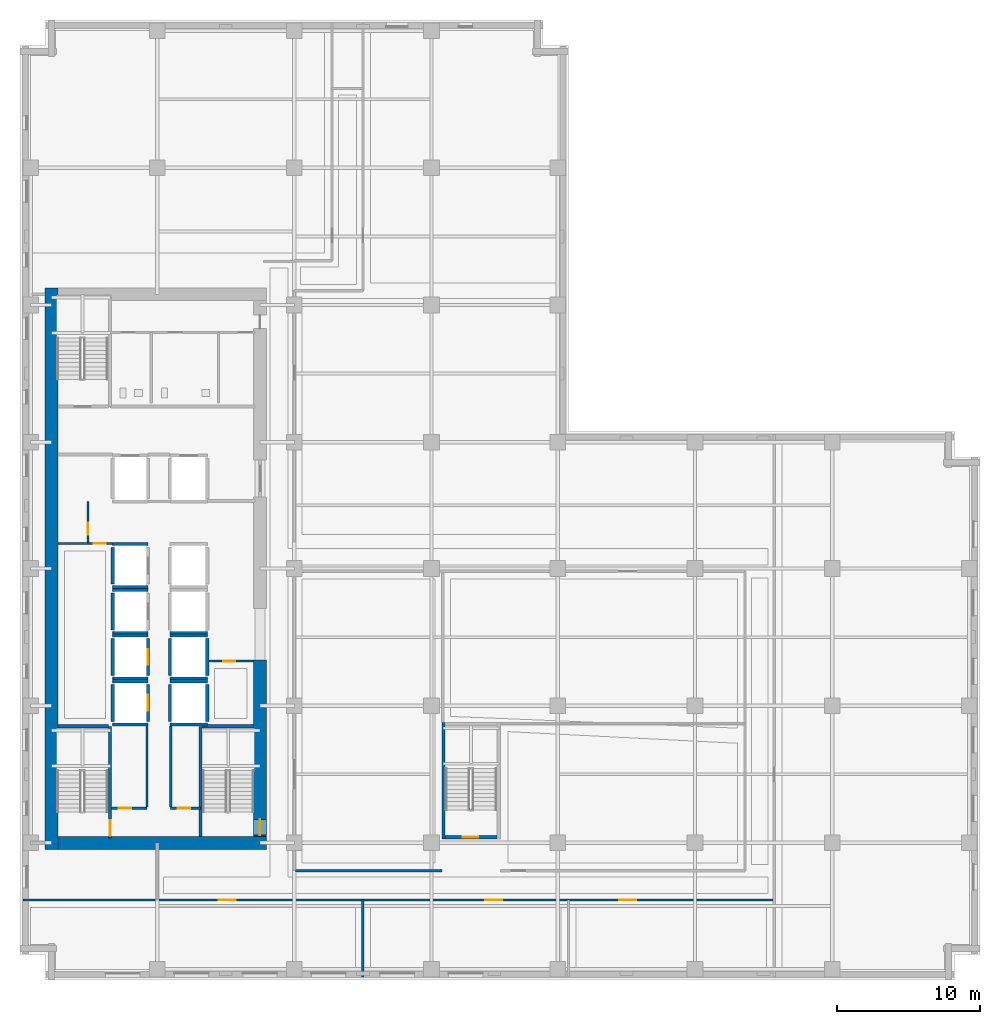
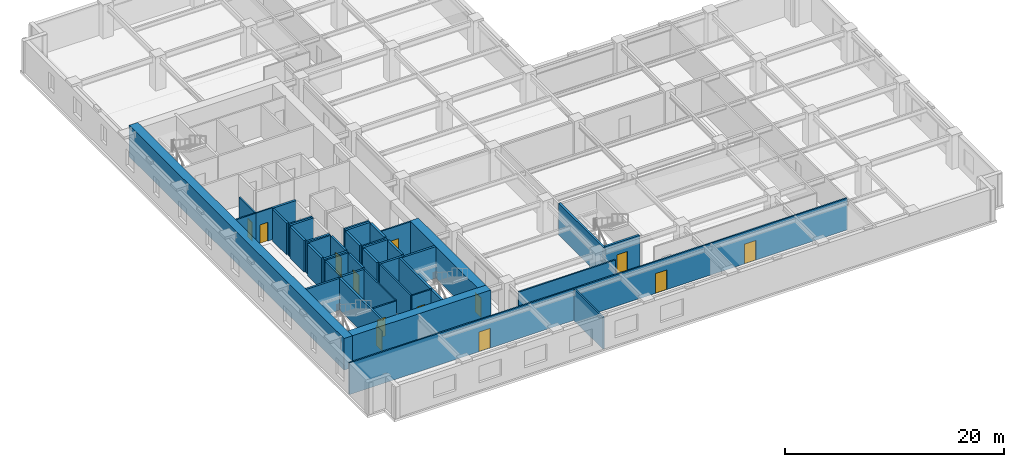
# One storey, part 4 of 13: 43 walls, 13 doors, 13 openings.
"""IFC4 building model written with IfcOpenShell, lengths in metres."""

from ifc_helpers import new_model, si_unit, direction, frame, frame_2d, origin, place, context, subcontext, project, spatial, rectangle, extrude, material, layer, layer_set, type_object, element, fill, save


model = new_model("IFC4")

# Units and contexts
model_context = context("Model", 3, precision=1e-05, world=origin(), true_north=direction((0.0, 1.0)))
body_context = subcontext(model_context, "Body", "Model", "MODEL_VIEW")
ifc_project = project(units=[si_unit("LENGTHUNIT", "METRE"), si_unit("AREAUNIT", "SQUARE_METRE"), si_unit("VOLUMEUNIT", "CUBIC_METRE"), si_unit("PLANEANGLEUNIT", "RADIAN"), si_unit("MASSUNIT", "GRAM", prefix="KILO")], contexts=[model_context])

# Site, building, storey
site_placement = place(None, origin())
site = spatial("IfcSite", under=ifc_project, at=site_placement, CompositionType="ELEMENT")
building_placement = place(site_placement, origin())
building = spatial("IfcBuilding", under=site, at=building_placement, Name="Norrvale University Quadrangle", CompositionType="ELEMENT")
storey_placement = place(building_placement, frame((0.0, 0.0, 69.800048828125)))
storey = spatial("IfcBuildingStorey", under=building, at=storey_placement, Name="L17", CompositionType="ELEMENT", Elevation=69.800048828125)

# Walls
ifc_material_1 = material(Name="Concrete C80/95", Category="concrete")
ifc_layer_1 = layer(ifc_material_1, 0.89990234375, Name="Concrete C80/95")
ifc_layer_set_1 = layer_set([ifc_layer_1], Name="Concrete C80/95")
wall_type_1 = type_object("IfcWallType", Name="Wall Core 900", PredefinedType="SHEAR", material=ifc_layer_set_1)
wall_1_placement = place(storey_placement, frame((2.64990234375, 9.60009765625, 0.0), z_axis=(0.0, 0.0, 1.0), x_axis=(1.0, 0.0, 0.0)))
element("IfcWall", 1, at=wall_1_placement, inside=storey, type_object=wall_type_1, Name="Tower Core Shear Wall L17-S", PredefinedType="SHEAR", context=body_context, shape_type="SweptSolid", body=[
    extrude(rectangle(XDim=14.60009765625, YDim=0.89990234375, at=frame_2d((7.300048828125, 0.0))), origin(), (0.0, 0.0, 1.0), 3.5400390625),
])
wall_2_placement = place(storey_placement, frame((2.199951171875, 9.14990234375, 0.0), z_axis=(0.0, 0.0, 1.0), x_axis=(0.0, 1.0, 0.0)))
element("IfcWall", 2, at=wall_2_placement, inside=storey, type_object=wall_type_1, Name="Tower Core Shear Wall L17-W", PredefinedType="SHEAR", context=body_context, shape_type="SweptSolid", body=[
    extrude(rectangle(XDim=39.300048828125, YDim=0.89990234375, at=frame_2d((19.64990234375, 0.0))), origin(), (0.0, 0.0, 1.0), 3.5400390625),
])

# Wall, opening, door
wall_3_placement = place(storey_placement, frame((16.800048828125, 10.050048828125, 0.0), z_axis=(0.0, 0.0, 1.0), x_axis=(0.0, 1.0, 0.0)))
wall_3 = element("IfcWall", 3, at=wall_3_placement, inside=storey, type_object=wall_type_1, Name="Tower Core Shear Wall L17-E1", PredefinedType="SHEAR", context=body_context, shape_type="SweptSolid", body=[
    extrude(rectangle(XDim=12.349853515625, YDim=0.89990234375, at=frame_2d((6.1748046875, 0.0))), origin(), (0.0, 0.0, 1.0), 3.5400390625),
])
opening_1_placement = place(wall_3_placement, frame((0.090087890625, 0.0, 0.0)))
opening_1 = element("IfcOpeningElement", 4, at=opening_1_placement, cuts=wall_3, Name="Opening D02", PredefinedType="OPENING", context=body_context, shape_type="SweptSolid", body=[
    extrude(rectangle(XDim=1.10009765625, YDim=2.199951171875, at=frame_2d((0.550048828125, 1.10009765625))), frame((0.0, 0.4619140625, 0.0), z_axis=(0.0, -1.0, 0.0), x_axis=(1.0, 0.0, 0.0)), (0.0, 0.0, 1.0), 0.923828125),
])
ifc_material_2 = material(Name="Hollow Steel 350W Fire Door", Category="steel")
door_type_1 = type_object("IfcDoorType", Name="Door Stair Exit 1100x2200", OperationType="NOTDEFINED", PredefinedType="DOOR", material=ifc_material_2)
door_1_placement = place(opening_1_placement, origin())
door_1 = element("IfcDoor", 5, at=door_1_placement, inside=storey, type_object=door_type_1, Name="Door Stair Exit 1100x2200 DR-L17-ST03", OperationType="SINGLE_SWING_LEFT", OverallHeight=2.199951171875, OverallWidth=1.10009765625, PredefinedType="DOOR", context=body_context, shape_type="SweptSolid", body=[
    extrude(rectangle(XDim=1.10009765625, YDim=2.199951171875, at=frame_2d((0.550048828125, 1.10009765625))), frame((0.0, 0.02490234375, 0.0), z_axis=(0.0, -1.0, 0.0), x_axis=(1.0, 0.0, 0.0)), (0.0, 0.0, 1.0), 0.050048828125),
])
fill(opening_1, door_1)

ifc_material_3 = material(Name="Fire-Rated Gypsum Stud Partition")
ifc_layer_2 = layer(ifc_material_3, 0.14990234375, Name="Fire-Rated Gypsum Stud Partition")
ifc_layer_set_2 = layer_set([ifc_layer_2], Name="Fire-Rated Gypsum Stud Partition")
wall_type_2 = type_object("IfcWallType", Name="Wall Gypsum Corridor 150", PredefinedType="PARTITIONING", material=ifc_layer_set_2)
wall_4_placement = place(storey_placement, frame((6.419921875, 12.02001953125, 0.0), z_axis=(0.0, 0.0, 1.0), x_axis=(1.0, 0.0, 0.0)))
wall_4 = element("IfcWall", 6, at=wall_4_placement, inside=storey, type_object=wall_type_2, Name="Interior Partition WL-L17-SC-NL", PredefinedType="PARTITIONING", context=body_context, shape_type="SweptSolid", body=[
    extrude(rectangle(XDim=2.47998046875, YDim=0.14990234375, at=frame_2d((1.239990234375, 0.0))), origin(), (0.0, 0.0, 1.0), 3.5400390625),
])
opening_2_placement = place(wall_4_placement, frame((0.5, 0.0, 0.0)))
opening_2 = element("IfcOpeningElement", 7, at=opening_2_placement, cuts=wall_4, Name="Opening D10", PredefinedType="OPENING", context=body_context, shape_type="SweptSolid", body=[
    extrude(rectangle(XDim=0.85009765625, YDim=2.10009765625, at=frame_2d((0.425048828125, 1.050048828125))), frame((0.0, 0.0869140625, 0.0), z_axis=(0.0, -1.0, 0.0), x_axis=(1.0, 0.0, 0.0)), (0.0, 0.0, 1.0), 0.173828125),
])
ifc_material_4 = material(Name="Hollow Steel 350W Riser Fire Door", Category="steel")
door_type_2 = type_object("IfcDoorType", Name="Door Riser 850x2100", OperationType="NOTDEFINED", PredefinedType="DOOR", material=ifc_material_4)
door_2_placement = place(opening_2_placement, origin())
door_2 = element("IfcDoor", 8, at=door_2_placement, inside=storey, type_object=door_type_2, Name="Door Riser 850x2100 DR-L17-ELEC", OperationType="SINGLE_SWING_LEFT", OverallHeight=2.10009765625, OverallWidth=0.85009765625, PredefinedType="DOOR", context=body_context, shape_type="SweptSolid", body=[
    extrude(rectangle(XDim=0.85009765625, YDim=2.10009765625, at=frame_2d((0.425048828125, 1.050048828125))), frame((0.0, 0.02490234375, 0.0), z_axis=(0.0, -1.0, 0.0), x_axis=(1.0, 0.0, 0.0)), (0.0, 0.0, 1.0), 0.050048828125),
])
fill(opening_2, door_2)

wall_5_placement = place(storey_placement, frame((10.550048828125, 12.02001953125, 0.0), z_axis=(0.0, 0.0, 1.0), x_axis=(1.0, 0.0, 0.0)))
wall_5 = element("IfcWall", 9, at=wall_5_placement, inside=storey, type_object=wall_type_2, Name="Interior Partition WL-L17-SC-NR", PredefinedType="PARTITIONING", context=body_context, shape_type="SweptSolid", body=[
    extrude(rectangle(XDim=2.079833984375, YDim=0.14990234375, at=frame_2d((1.0400390625, 0.0))), origin(), (0.0, 0.0, 1.0), 3.5400390625),
])
opening_3_placement = place(wall_5_placement, frame((0.5, 0.0, 0.0)))
opening_3 = element("IfcOpeningElement", 10, at=opening_3_placement, cuts=wall_5, Name="Opening D10", PredefinedType="OPENING", context=body_context, shape_type="SweptSolid", body=[
    extrude(rectangle(XDim=0.85009765625, YDim=2.10009765625, at=frame_2d((0.425048828125, 1.050048828125))), frame((0.0, 0.0869140625, 0.0), z_axis=(0.0, -1.0, 0.0), x_axis=(1.0, 0.0, 0.0)), (0.0, 0.0, 1.0), 0.173828125),
])
door_3_placement = place(opening_3_placement, origin())
door_3 = element("IfcDoor", 11, at=door_3_placement, inside=storey, type_object=door_type_2, Name="Door Riser 850x2100 DR-L17-IDF", OperationType="SINGLE_SWING_RIGHT", OverallHeight=2.10009765625, OverallWidth=0.85009765625, PredefinedType="DOOR", context=body_context, shape_type="SweptSolid", body=[
    extrude(rectangle(XDim=0.85009765625, YDim=2.10009765625, at=frame_2d((0.425048828125, 1.050048828125))), frame((0.0, 0.02490234375, 0.0), z_axis=(0.0, -1.0, 0.0), x_axis=(1.0, 0.0, 0.0)), (0.0, 0.0, 1.0), 0.050048828125),
])
fill(opening_3, door_3)

# Walls
for number, where, z_axis, x_axis, name in (
    (12, (8.89990234375, 12.094970703125, 0.0), (0.0, 0.0, 1.0), (0.0, 1.0, 0.0), "Interior Partition WL-L17-SC-WL"),
    (13, (10.550048828125, 12.094970703125, 0.0), (0.0, 0.0, 1.0), (0.0, 1.0, 0.0), "Interior Partition WL-L17-SC-WR"),
):
    element("IfcWall", number, at=place(storey_placement, frame(where, z_axis=z_axis, x_axis=x_axis)), inside=storey, type_object=wall_type_2, Name=name, PredefinedType="PARTITIONING", context=body_context, shape_type="SweptSolid", body=[
        extrude(rectangle(XDim=5.679931640625, YDim=0.14990234375, at=frame_2d((2.83984375, 0.0))), origin(), (0.0, 0.0, 1.0), 3.5400390625),
    ])

# Wall, opening, door
wall_6_placement = place(storey_placement, frame((13.22509765625, 22.320068359375, 0.0), z_axis=(0.0, 0.0, 1.0), x_axis=(1.0, 0.0, 0.0)))
wall_6 = element("IfcWall", 14, at=wall_6_placement, inside=storey, type_object=wall_type_2, Name="Interior Partition WL-L17-JAN-N", PredefinedType="PARTITIONING", context=body_context, shape_type="SweptSolid", body=[
    extrude(rectangle(XDim=3.119873046875, YDim=0.14990234375, at=frame_2d((1.56005859375, 0.0))), origin(), (0.0, 0.0, 1.0), 3.5400390625),
])
opening_4_placement = place(wall_6_placement, frame((1.0, 0.0, 0.0)))
opening_4 = element("IfcOpeningElement", 15, at=opening_4_placement, cuts=wall_6, Name="Opening D10", PredefinedType="OPENING", context=body_context, shape_type="SweptSolid", body=[
    extrude(rectangle(XDim=0.85009765625, YDim=2.10009765625, at=frame_2d((0.425048828125, 1.050048828125))), frame((0.0, 0.0869140625, 0.0), z_axis=(0.0, -1.0, 0.0), x_axis=(1.0, 0.0, 0.0)), (0.0, 0.0, 1.0), 0.173828125),
])
door_4_placement = place(opening_4_placement, origin())
door_4 = element("IfcDoor", 16, at=door_4_placement, inside=storey, type_object=door_type_2, Name="Door Riser 850x2100 DR-L17-JAN", OperationType="SINGLE_SWING_LEFT", OverallHeight=2.10009765625, OverallWidth=0.85009765625, PredefinedType="DOOR", context=body_context, shape_type="SweptSolid", body=[
    extrude(rectangle(XDim=0.85009765625, YDim=2.10009765625, at=frame_2d((0.425048828125, 1.050048828125))), frame((0.0, 0.02490234375, 0.0), z_axis=(0.0, -1.0, 0.0), x_axis=(1.0, 0.0, 0.0)), (0.0, 0.0, 1.0), 0.050048828125),
])
fill(opening_4, door_4)

wall_7_placement = place(storey_placement, frame((4.760009765625, 30.550048828125, 0.0), z_axis=(0.0, 0.0, 1.0), x_axis=(0.0, 1.0, 0.0)))
wall_7 = element("IfcWall", 17, at=wall_7_placement, inside=storey, type_object=wall_type_2, Name="Interior Partition WL-L17-WME-E", PredefinedType="PARTITIONING", context=body_context, shape_type="SweptSolid", body=[
    extrude(rectangle(XDim=2.929931640625, YDim=0.14990234375, at=frame_2d((1.46484375, 0.0))), origin(), (0.0, 0.0, 1.0), 3.5400390625),
])
opening_5_placement = place(wall_7_placement, frame((0.60009765625, 0.0, 0.0)))
opening_5 = element("IfcOpeningElement", 18, at=opening_5_placement, cuts=wall_7, Name="Opening D10", PredefinedType="OPENING", context=body_context, shape_type="SweptSolid", body=[
    extrude(rectangle(XDim=0.85009765625, YDim=2.10009765625, at=frame_2d((0.425048828125, 1.050048828125))), frame((0.0, 0.0869140625, 0.0), z_axis=(0.0, -1.0, 0.0), x_axis=(1.0, 0.0, 0.0)), (0.0, 0.0, 1.0), 0.173828125),
])
door_5_placement = place(opening_5_placement, origin())
door_5 = element("IfcDoor", 19, at=door_5_placement, inside=storey, type_object=door_type_2, Name="Door Riser 850x2100 DR-L17-WME", OperationType="SINGLE_SWING_LEFT", OverallHeight=2.10009765625, OverallWidth=0.85009765625, PredefinedType="DOOR", context=body_context, shape_type="SweptSolid", body=[
    extrude(rectangle(XDim=0.85009765625, YDim=2.10009765625, at=frame_2d((0.425048828125, 1.050048828125))), frame((0.0, 0.02490234375, 0.0), z_axis=(0.0, -1.0, 0.0), x_axis=(1.0, 0.0, 0.0)), (0.0, 0.0, 1.0), 0.050048828125),
])
fill(opening_5, door_5)

wall_8_placement = place(storey_placement, frame((4.760009765625, 30.550048828125, 0.0), z_axis=(0.0, 0.0, 1.0), x_axis=(1.0, 0.0, 0.0)))
wall_8 = element("IfcWall", 20, at=wall_8_placement, inside=storey, type_object=wall_type_2, Name="Interior Partition WL-L17-WST-N", PredefinedType="PARTITIONING", context=body_context, shape_type="SweptSolid", body=[
    extrude(rectangle(XDim=1.760009765625, YDim=0.14990234375, at=frame_2d((0.8798828125, 0.0))), origin(), (0.0, 0.0, 1.0), 3.5400390625),
])
opening_6_placement = place(wall_8_placement, frame((0.39990234375, 0.0, 0.0)))
opening_6 = element("IfcOpeningElement", 21, at=opening_6_placement, cuts=wall_8, Name="Opening D10", PredefinedType="OPENING", context=body_context, shape_type="SweptSolid", body=[
    extrude(rectangle(XDim=0.85009765625, YDim=2.10009765625, at=frame_2d((0.425048828125, 1.050048828125))), frame((0.0, 0.0869140625, 0.0), z_axis=(0.0, -1.0, 0.0), x_axis=(1.0, 0.0, 0.0)), (0.0, 0.0, 1.0), 0.173828125),
])
door_6_placement = place(opening_6_placement, origin())
door_6 = element("IfcDoor", 22, at=door_6_placement, inside=storey, type_object=door_type_2, Name="Door Riser 850x2100 DR-L17-WST", OperationType="SINGLE_SWING_RIGHT", OverallHeight=2.10009765625, OverallWidth=0.85009765625, PredefinedType="DOOR", context=body_context, shape_type="SweptSolid", body=[
    extrude(rectangle(XDim=0.85009765625, YDim=2.10009765625, at=frame_2d((0.425048828125, 1.050048828125))), frame((0.0, 0.02490234375, 0.0), z_axis=(0.0, -1.0, 0.0), x_axis=(1.0, 0.0, 0.0)), (0.0, 0.0, 1.0), 0.050048828125),
])
fill(opening_6, door_6)

# Wall
wall_9_placement = place(storey_placement, frame((2.64990234375, 30.550048828125, 0.0), z_axis=(0.0, 0.0, 1.0), x_axis=(1.0, 0.0, 0.0)))
element("IfcWall", 23, at=wall_9_placement, inside=storey, type_object=wall_type_2, Name="Interior Partition WL-L17-WST-N2", PredefinedType="PARTITIONING", context=body_context, shape_type="SweptSolid", body=[
    extrude(rectangle(XDim=2.110107421875, YDim=0.14990234375, at=frame_2d((1.05517578125, 0.0))), origin(), (0.0, 0.0, 1.0), 3.5400390625),
])

# Wall, openings, doors
wall_10_placement = place(storey_placement, frame((0.219970703125, 5.60009765625, 0.0), z_axis=(0.0, 0.0, 1.0), x_axis=(1.0, 0.0, 0.0)))
wall_10 = element("IfcWall", 24, at=wall_10_placement, inside=storey, type_object=wall_type_2, Name="Interior Partition WL-L17-SCW", PredefinedType="PARTITIONING", context=body_context, shape_type="SweptSolid", body=[
    extrude(rectangle(XDim=52.580078125, YDim=0.14990234375, at=frame_2d((26.2900390625, 0.0))), origin(), (0.0, 0.0, 1.0), 3.5400390625),
])
opening_7_placement = place(wall_10_placement, frame((13.679931640625, 0.0, 0.0)))
opening_7 = element("IfcOpeningElement", 25, at=opening_7_placement, cuts=wall_10, Name="Opening D05", PredefinedType="OPENING", context=body_context, shape_type="SweptSolid", body=[
    extrude(rectangle(XDim=1.199951171875, YDim=2.199951171875, at=frame_2d((0.60009765625, 1.10009765625))), frame((0.0, 0.0869140625, 0.0), z_axis=(0.0, -1.0, 0.0), x_axis=(1.0, 0.0, 0.0)), (0.0, 0.0, 1.0), 0.173828125),
])
opening_8_placement = place(wall_10_placement, frame((32.330078125, 0.0, 0.0)))
opening_8 = element("IfcOpeningElement", 26, at=opening_8_placement, cuts=wall_10, Name="Opening D05", PredefinedType="OPENING", context=body_context, shape_type="SweptSolid", body=[
    extrude(rectangle(XDim=1.199951171875, YDim=2.199951171875, at=frame_2d((0.60009765625, 1.10009765625))), frame((0.0, 0.0869140625, 0.0), z_axis=(0.0, -1.0, 0.0), x_axis=(1.0, 0.0, 0.0)), (0.0, 0.0, 1.0), 0.173828125),
])
opening_9_placement = place(wall_10_placement, frame((41.72998046875, 0.0, 0.0)))
opening_9 = element("IfcOpeningElement", 27, at=opening_9_placement, cuts=wall_10, Name="Opening D05", PredefinedType="OPENING", context=body_context, shape_type="SweptSolid", body=[
    extrude(rectangle(XDim=1.199951171875, YDim=2.199951171875, at=frame_2d((0.60009765625, 1.10009765625))), frame((0.0, 0.0869140625, 0.0), z_axis=(0.0, -1.0, 0.0), x_axis=(1.0, 0.0, 0.0)), (0.0, 0.0, 1.0), 0.173828125),
])
ifc_material_5 = material(Name="Acoustic Oak Classroom Door", Category="wood")
door_type_3 = type_object("IfcDoorType", Name="Door Classroom 1200x2200", OperationType="NOTDEFINED", PredefinedType="DOOR", material=ifc_material_5)
door_7_placement = place(opening_7_placement, origin())
door_7 = element("IfcDoor", 28, at=door_7_placement, inside=storey, type_object=door_type_3, Name="Door Classroom 1200x2200 DR-L17-S01", OperationType="SINGLE_SWING_LEFT", OverallHeight=2.199951171875, OverallWidth=1.199951171875, PredefinedType="DOOR", context=body_context, shape_type="SweptSolid", body=[
    extrude(rectangle(XDim=1.199951171875, YDim=2.199951171875, at=frame_2d((0.60009765625, 1.10009765625))), frame((0.0, 0.02490234375, 0.0), z_axis=(0.0, -1.0, 0.0), x_axis=(1.0, 0.0, 0.0)), (0.0, 0.0, 1.0), 0.050048828125),
])
fill(opening_7, door_7)
door_8_placement = place(opening_8_placement, origin())
door_8 = element("IfcDoor", 29, at=door_8_placement, inside=storey, type_object=door_type_3, Name="Door Classroom 1200x2200 DR-L17-S02", OperationType="SINGLE_SWING_RIGHT", OverallHeight=2.199951171875, OverallWidth=1.199951171875, PredefinedType="DOOR", context=body_context, shape_type="SweptSolid", body=[
    extrude(rectangle(XDim=1.199951171875, YDim=2.199951171875, at=frame_2d((0.60009765625, 1.10009765625))), frame((0.0, 0.02490234375, 0.0), z_axis=(0.0, -1.0, 0.0), x_axis=(1.0, 0.0, 0.0)), (0.0, 0.0, 1.0), 0.050048828125),
])
fill(opening_8, door_8)
door_9_placement = place(opening_9_placement, origin())
door_9 = element("IfcDoor", 30, at=door_9_placement, inside=storey, type_object=door_type_3, Name="Door Classroom 1200x2200 DR-L17-S03", OperationType="SINGLE_SWING_LEFT", OverallHeight=2.199951171875, OverallWidth=1.199951171875, PredefinedType="DOOR", context=body_context, shape_type="SweptSolid", body=[
    extrude(rectangle(XDim=1.199951171875, YDim=2.199951171875, at=frame_2d((0.60009765625, 1.10009765625))), frame((0.0, 0.02490234375, 0.0), z_axis=(0.0, -1.0, 0.0), x_axis=(1.0, 0.0, 0.0)), (0.0, 0.0, 1.0), 0.050048828125),
])
fill(opening_9, door_9)

# Walls
wall_11_placement = place(storey_placement, frame((19.280029296875, 7.64990234375, 0.0), z_axis=(0.0, 0.0, 1.0), x_axis=(1.0, 0.0, 0.0)))
element("IfcWall", 31, at=wall_11_placement, inside=storey, type_object=wall_type_2, Name="Interior Partition WL-L17-ISLS1", PredefinedType="PARTITIONING", context=body_context, shape_type="SweptSolid", body=[
    extrude(rectangle(XDim=10.244873046875, YDim=0.14990234375, at=frame_2d((5.12255859375, 0.0))), origin(), (0.0, 0.0, 1.0), 3.5400390625),
])
ifc_material_6 = material(Name="Sanitary Chase Gypsum Partition")
ifc_layer_3 = layer(ifc_material_6, 0.1650390625, Name="Sanitary Chase Gypsum Partition")
ifc_layer_set_3 = layer_set([ifc_layer_3], Name="Sanitary Chase Gypsum Partition")
wall_type_3 = type_object("IfcWallType", Name="Wall Gypsum Sanitary 165", PredefinedType="PLUMBINGWALL", material=ifc_layer_set_3)
wall_12_placement = place(storey_placement, frame((24.0, 0.219970703125, 0.0), z_axis=(0.0, 0.0, 1.0), x_axis=(0.0, 1.0, 0.0)))
element("IfcWall", 32, at=wall_12_placement, inside=storey, type_object=wall_type_3, Name="Interior Partition WL-L17-SP01", PredefinedType="PLUMBINGWALL", context=body_context, shape_type="SweptSolid", body=[
    extrude(rectangle(XDim=5.380126953125, YDim=0.1650390625, at=frame_2d((2.68994140625, 0.0))), origin(), (0.0, 0.0, 1.0), 3.5400390625),
])

# Wall, opening, door
ifc_material_7 = material(Name="Concrete Blockwork 20 MPa Fire Shaft", Category="masonry")
ifc_layer_4 = layer(ifc_material_7, 0.219970703125, Name="Concrete Blockwork 20 MPa Fire Shaft")
ifc_layer_set_4 = layer_set([ifc_layer_4], Name="Concrete Blockwork 20 MPa Fire Shaft")
wall_type_4 = type_object("IfcWallType", Name="Wall Shaft 220", PredefinedType="SOLIDWALL", material=ifc_layer_set_4)
wall_13_placement = place(storey_placement, frame((6.31005859375, 9.949951171875, 0.0), z_axis=(0.0, 0.0, 1.0), x_axis=(0.0, 1.0, 0.0)))
wall_13 = element("IfcWall", 33, at=wall_13_placement, inside=storey, type_object=wall_type_4, Name="Stair ST-01 East Shaft Wall L17", PredefinedType="SOLIDWALL", context=body_context, shape_type="SweptSolid", body=[
    extrude(rectangle(XDim=7.81005859375, YDim=0.219970703125, at=frame_2d((3.905029296875, 0.0))), origin(), (0.0, 0.0, 1.0), 3.5400390625),
])
opening_10_placement = place(wall_13_placement, frame((0.139892578125, 0.0, 0.0)))
opening_10 = element("IfcOpeningElement", 34, at=opening_10_placement, cuts=wall_13, Name="Opening D02", PredefinedType="OPENING", context=body_context, shape_type="SweptSolid", body=[
    extrude(rectangle(XDim=1.10009765625, YDim=2.199951171875, at=frame_2d((0.550048828125, 1.10009765625))), frame((0.0, 0.1220703125, 0.0), z_axis=(0.0, -1.0, 0.0), x_axis=(1.0, 0.0, 0.0)), (0.0, 0.0, 1.0), 0.243896484375),
])
door_10_placement = place(opening_10_placement, origin())
door_10 = element("IfcDoor", 35, at=door_10_placement, inside=storey, type_object=door_type_1, Name="Door Stair Exit 1100x2200 DR-L17-ST01", OperationType="SINGLE_SWING_LEFT", OverallHeight=2.199951171875, OverallWidth=1.10009765625, PredefinedType="DOOR", context=body_context, shape_type="SweptSolid", body=[
    extrude(rectangle(XDim=1.10009765625, YDim=2.199951171875, at=frame_2d((0.550048828125, 1.10009765625))), frame((0.0, 0.02490234375, 0.0), z_axis=(0.0, -1.0, 0.0), x_axis=(1.0, 0.0, 0.0)), (0.0, 0.0, 1.0), 0.050048828125),
])
fill(opening_10, door_10)

# Walls
wall_14_placement = place(storey_placement, frame((2.64990234375, 17.760009765625, 0.0), z_axis=(0.0, 0.0, 1.0), x_axis=(1.0, 0.0, 0.0)))
element("IfcWall", 36, at=wall_14_placement, inside=storey, type_object=wall_type_4, Name="Stair ST-01 North Shaft Wall L17", PredefinedType="SOLIDWALL", context=body_context, shape_type="SweptSolid", body=[
    extrude(rectangle(XDim=3.550048828125, YDim=0.219970703125, at=frame_2d((1.77490234375, 0.0))), origin(), (0.0, 0.0, 1.0), 3.5400390625),
])
wall_15_placement = place(storey_placement, frame((12.639892578125, 10.050048828125, 0.0), z_axis=(0.0, 0.0, 1.0), x_axis=(0.0, 1.0, 0.0)))
element("IfcWall", 37, at=wall_15_placement, inside=storey, type_object=wall_type_4, Name="Stair ST-03 West Shaft Wall L17", PredefinedType="SOLIDWALL", context=body_context, shape_type="SweptSolid", body=[
    extrude(rectangle(XDim=7.7099609375, YDim=0.219970703125, at=frame_2d((3.85498046875, 0.0))), origin(), (0.0, 0.0, 1.0), 3.5400390625),
])
wall_16_placement = place(storey_placement, frame((12.75, 17.760009765625, 0.0), z_axis=(0.0, 0.0, 1.0), x_axis=(1.0, 0.0, 0.0)))
element("IfcWall", 38, at=wall_16_placement, inside=storey, type_object=wall_type_4, Name="Stair ST-03 North Shaft Wall L17", PredefinedType="SOLIDWALL", context=body_context, shape_type="SweptSolid", body=[
    extrude(rectangle(XDim=3.60009765625, YDim=0.219970703125, at=frame_2d((1.800048828125, 0.0))), origin(), (0.0, 0.0, 1.0), 3.5400390625),
])

# Wall, opening, door
wall_17_placement = place(storey_placement, frame((29.75, 9.989990234375, 0.0), z_axis=(0.0, 0.0, 1.0), x_axis=(1.0, 0.0, 0.0)))
wall_17 = element("IfcWall", 39, at=wall_17_placement, inside=storey, type_object=wall_type_4, Name="Stair ST-04 South Shaft Wall L17", PredefinedType="SOLIDWALL", context=body_context, shape_type="SweptSolid", body=[
    extrude(rectangle(XDim=3.64990234375, YDim=0.219970703125, at=frame_2d((1.824951171875, 0.0))), origin(), (0.0, 0.0, 1.0), 3.5400390625),
])
opening_11_placement = place(wall_17_placement, frame((1.239990234375, 0.0, 0.0)))
opening_11 = element("IfcOpeningElement", 40, at=opening_11_placement, cuts=wall_17, Name="Opening D02", PredefinedType="OPENING", context=body_context, shape_type="SweptSolid", body=[
    extrude(rectangle(XDim=1.10009765625, YDim=2.199951171875, at=frame_2d((0.550048828125, 1.10009765625))), frame((0.0, 0.1220703125, 0.0), z_axis=(0.0, -1.0, 0.0), x_axis=(1.0, 0.0, 0.0)), (0.0, 0.0, 1.0), 0.243896484375),
])
door_11_placement = place(opening_11_placement, origin())
door_11 = element("IfcDoor", 41, at=door_11_placement, inside=storey, type_object=door_type_1, Name="Door Stair Exit 1100x2200 DR-L17-ST04", OperationType="SINGLE_SWING_LEFT", OverallHeight=2.199951171875, OverallWidth=1.10009765625, PredefinedType="DOOR", context=body_context, shape_type="SweptSolid", body=[
    extrude(rectangle(XDim=1.10009765625, YDim=2.199951171875, at=frame_2d((0.550048828125, 1.10009765625))), frame((0.0, 0.02490234375, 0.0), z_axis=(0.0, -1.0, 0.0), x_axis=(1.0, 0.0, 0.0)), (0.0, 0.0, 1.0), 0.050048828125),
])
fill(opening_11, door_11)

# Walls
wall_18_placement = place(storey_placement, frame((29.639892578125, 9.8798828125, 0.0), z_axis=(0.0, 0.0, 1.0), x_axis=(0.0, 1.0, 0.0)))
element("IfcWall", 42, at=wall_18_placement, inside=storey, type_object=wall_type_4, Name="Stair ST-04 West Shaft Wall L17", PredefinedType="SOLIDWALL", context=body_context, shape_type="SweptSolid", body=[
    extrude(rectangle(XDim=8.14013671875, YDim=0.219970703125, at=frame_2d((4.070068359375, 0.0))), origin(), (0.0, 0.0, 1.0), 3.5400390625),
])
wall_19_placement = place(storey_placement, frame((6.489990234375, 18.110107421875, 0.0), z_axis=(0.0, 0.0, 1.0), x_axis=(0.0, 1.0, 0.0)))
element("IfcWall", 43, at=wall_19_placement, inside=storey, type_object=wall_type_4, Name="Hoistway PL-01 West Wall L17", PredefinedType="SOLIDWALL", context=body_context, shape_type="SweptSolid", body=[
    extrude(rectangle(XDim=2.579833984375, YDim=0.219970703125, at=frame_2d((1.2900390625, 0.0))), origin(), (0.0, 0.0, 1.0), 3.5400390625),
])

# Wall, opening, door
wall_20_placement = place(storey_placement, frame((8.9599609375, 18.110107421875, 0.0), z_axis=(0.0, 0.0, 1.0), x_axis=(0.0, 1.0, 0.0)))
wall_20 = element("IfcWall", 44, at=wall_20_placement, inside=storey, type_object=wall_type_4, Name="Hoistway PL-01 East Wall L17", PredefinedType="SOLIDWALL", context=body_context, shape_type="SweptSolid", body=[
    extrude(rectangle(XDim=2.579833984375, YDim=0.219970703125, at=frame_2d((1.2900390625, 0.0))), origin(), (0.0, 0.0, 1.0), 3.5400390625),
])
opening_12_placement = place(wall_20_placement, frame((0.739990234375, 0.0, 0.0)))
opening_12 = element("IfcOpeningElement", 45, at=opening_12_placement, cuts=wall_20, Name="Opening LD1", PredefinedType="OPENING", context=body_context, shape_type="SweptSolid", body=[
    extrude(rectangle(XDim=1.10009765625, YDim=2.199951171875, at=frame_2d((0.550048828125, 1.10009765625))), frame((0.0, 0.1220703125, 0.0), z_axis=(0.0, -1.0, 0.0), x_axis=(1.0, 0.0, 0.0)), (0.0, 0.0, 1.0), 0.243896484375),
])
ifc_material_8 = material(Name="Stainless Steel 316L Lift Landing Door", Category="steel")
door_type_4 = type_object("IfcDoorType", Name="Door Lift Landing 1100x2200", OperationType="DOUBLE_DOOR_SLIDING", PredefinedType="DOOR", material=ifc_material_8)
door_12_placement = place(opening_12_placement, origin())
door_12 = element("IfcDoor", 46, at=door_12_placement, inside=storey, type_object=door_type_4, Name="Elevator Landing Door DR-L17-PL-01", OperationType="DOUBLE_DOOR_SLIDING", OverallHeight=2.199951171875, OverallWidth=1.10009765625, PredefinedType="DOOR", context=body_context, shape_type="SweptSolid", body=[
    extrude(rectangle(XDim=1.10009765625, YDim=2.199951171875, at=frame_2d((0.550048828125, 1.10009765625))), frame((0.0, 0.02490234375, 0.0), z_axis=(0.0, -1.0, 0.0), x_axis=(1.0, 0.0, 0.0)), (0.0, 0.0, 1.0), 0.050048828125),
])
fill(opening_12, door_12)

# Walls
for number, where, z_axis, x_axis, name in (
    (47, (6.489990234375, 17.889892578125, 0.0), (0.0, 0.0, 1.0), (1.0, 0.0, 0.0), "Hoistway PL-01 South Wall L17"),
    (48, (6.489990234375, 20.909912109375, 0.0), (0.0, 0.0, 1.0), (1.0, 0.0, 0.0), "Hoistway PL-01 North Wall L17"),
):
    element("IfcWall", number, at=place(storey_placement, frame(where, z_axis=z_axis, x_axis=x_axis)), inside=storey, type_object=wall_type_4, Name=name, PredefinedType="SOLIDWALL", context=body_context, shape_type="SweptSolid", body=[
        extrude(rectangle(XDim=2.469970703125, YDim=0.219970703125, at=frame_2d((1.23486328125, 0.0))), origin(), (0.0, 0.0, 1.0), 3.5400390625),
    ])
wall_21_placement = place(storey_placement, frame((6.489990234375, 21.31005859375, 0.0), z_axis=(0.0, 0.0, 1.0), x_axis=(0.0, 1.0, 0.0)))
element("IfcWall", 49, at=wall_21_placement, inside=storey, type_object=wall_type_4, Name="Hoistway PL-02 West Wall L17", PredefinedType="SOLIDWALL", context=body_context, shape_type="SweptSolid", body=[
    extrude(rectangle(XDim=2.579833984375, YDim=0.219970703125, at=frame_2d((1.2900390625, 0.0))), origin(), (0.0, 0.0, 1.0), 3.5400390625),
])

# Wall, opening, door
wall_22_placement = place(storey_placement, frame((8.9599609375, 21.31005859375, 0.0), z_axis=(0.0, 0.0, 1.0), x_axis=(0.0, 1.0, 0.0)))
wall_22 = element("IfcWall", 50, at=wall_22_placement, inside=storey, type_object=wall_type_4, Name="Hoistway PL-02 East Wall L17", PredefinedType="SOLIDWALL", context=body_context, shape_type="SweptSolid", body=[
    extrude(rectangle(XDim=2.579833984375, YDim=0.219970703125, at=frame_2d((1.2900390625, 0.0))), origin(), (0.0, 0.0, 1.0), 3.5400390625),
])
opening_13_placement = place(wall_22_placement, frame((0.739990234375, 0.0, 0.0)))
opening_13 = element("IfcOpeningElement", 51, at=opening_13_placement, cuts=wall_22, Name="Opening LD1", PredefinedType="OPENING", context=body_context, shape_type="SweptSolid", body=[
    extrude(rectangle(XDim=1.10009765625, YDim=2.199951171875, at=frame_2d((0.550048828125, 1.10009765625))), frame((0.0, 0.1220703125, 0.0), z_axis=(0.0, -1.0, 0.0), x_axis=(1.0, 0.0, 0.0)), (0.0, 0.0, 1.0), 0.243896484375),
])
door_13_placement = place(opening_13_placement, origin())
door_13 = element("IfcDoor", 52, at=door_13_placement, inside=storey, type_object=door_type_4, Name="Elevator Landing Door DR-L17-PL-02", OperationType="DOUBLE_DOOR_SLIDING", OverallHeight=2.199951171875, OverallWidth=1.10009765625, PredefinedType="DOOR", context=body_context, shape_type="SweptSolid", body=[
    extrude(rectangle(XDim=1.10009765625, YDim=2.199951171875, at=frame_2d((0.550048828125, 1.10009765625))), frame((0.0, 0.02490234375, 0.0), z_axis=(0.0, -1.0, 0.0), x_axis=(1.0, 0.0, 0.0)), (0.0, 0.0, 1.0), 0.050048828125),
])
fill(opening_13, door_13)

# Walls
for number, where, z_axis, x_axis, name in (
    (53, (6.489990234375, 21.090087890625, 0.0), (0.0, 0.0, 1.0), (1.0, 0.0, 0.0), "Hoistway PL-02 South Wall L17"),
    (54, (6.489990234375, 24.110107421875, 0.0), (0.0, 0.0, 1.0), (1.0, 0.0, 0.0), "Hoistway PL-02 North Wall L17"),
):
    element("IfcWall", number, at=place(storey_placement, frame(where, z_axis=z_axis, x_axis=x_axis)), inside=storey, type_object=wall_type_4, Name=name, PredefinedType="SOLIDWALL", context=body_context, shape_type="SweptSolid", body=[
        extrude(rectangle(XDim=2.469970703125, YDim=0.219970703125, at=frame_2d((1.23486328125, 0.0))), origin(), (0.0, 0.0, 1.0), 3.5400390625),
    ])
wall_23_placement = place(storey_placement, frame((6.489990234375, 24.510009765625, 0.0), z_axis=(0.0, 0.0, 1.0), x_axis=(0.0, 1.0, 0.0)))
element("IfcWall", 55, at=wall_23_placement, inside=storey, type_object=wall_type_4, Name="Hoistway PL-03 West Wall L17", PredefinedType="SOLIDWALL", context=body_context, shape_type="SweptSolid", body=[
    extrude(rectangle(XDim=2.580078125, YDim=0.219970703125, at=frame_2d((1.2900390625, 0.0))), origin(), (0.0, 0.0, 1.0), 3.5400390625),
])
for number, where, z_axis, x_axis, name in (
    (56, (6.489990234375, 24.2900390625, 0.0), (0.0, 0.0, 1.0), (1.0, 0.0, 0.0), "Hoistway PL-03 South Wall L17"),
    (57, (6.489990234375, 27.31005859375, 0.0), (0.0, 0.0, 1.0), (1.0, 0.0, 0.0), "Hoistway PL-03 North Wall L17"),
):
    element("IfcWall", number, at=place(storey_placement, frame(where, z_axis=z_axis, x_axis=x_axis)), inside=storey, type_object=wall_type_4, Name=name, PredefinedType="SOLIDWALL", context=body_context, shape_type="SweptSolid", body=[
        extrude(rectangle(XDim=2.469970703125, YDim=0.219970703125, at=frame_2d((1.23486328125, 0.0))), origin(), (0.0, 0.0, 1.0), 3.5400390625),
    ])
wall_24_placement = place(storey_placement, frame((6.489990234375, 27.7099609375, 0.0), z_axis=(0.0, 0.0, 1.0), x_axis=(0.0, 1.0, 0.0)))
element("IfcWall", 58, at=wall_24_placement, inside=storey, type_object=wall_type_4, Name="Hoistway PL-04 West Wall L17", PredefinedType="SOLIDWALL", context=body_context, shape_type="SweptSolid", body=[
    extrude(rectangle(XDim=2.580078125, YDim=0.219970703125, at=frame_2d((1.2900390625, 0.0))), origin(), (0.0, 0.0, 1.0), 3.5400390625),
])
for number, where, z_axis, x_axis, name in (
    (59, (6.489990234375, 27.489990234375, 0.0), (0.0, 0.0, 1.0), (1.0, 0.0, 0.0), "Hoistway PL-04 South Wall L17"),
    (60, (6.489990234375, 30.510009765625, 0.0), (0.0, 0.0, 1.0), (1.0, 0.0, 0.0), "Hoistway PL-04 North Wall L17"),
):
    element("IfcWall", number, at=place(storey_placement, frame(where, z_axis=z_axis, x_axis=x_axis)), inside=storey, type_object=wall_type_4, Name=name, PredefinedType="SOLIDWALL", context=body_context, shape_type="SweptSolid", body=[
        extrude(rectangle(XDim=2.469970703125, YDim=0.219970703125, at=frame_2d((1.23486328125, 0.0))), origin(), (0.0, 0.0, 1.0), 3.5400390625),
    ])
for number, where, z_axis, x_axis, name in (
    (61, (10.489990234375, 18.110107421875, 0.0), (0.0, 0.0, 1.0), (0.0, 1.0, 0.0), "Hoistway PL-05 West Wall L17"),
    (62, (13.110107421875, 18.110107421875, 0.0), (0.0, 0.0, 1.0), (0.0, 1.0, 0.0), "Hoistway PL-05 East Wall L17"),
):
    element("IfcWall", number, at=place(storey_placement, frame(where, z_axis=z_axis, x_axis=x_axis)), inside=storey, type_object=wall_type_4, Name=name, PredefinedType="SOLIDWALL", context=body_context, shape_type="SweptSolid", body=[
        extrude(rectangle(XDim=2.579833984375, YDim=0.219970703125, at=frame_2d((1.2900390625, 0.0))), origin(), (0.0, 0.0, 1.0), 3.5400390625),
    ])
for number, where, z_axis, x_axis, name in (
    (63, (10.489990234375, 17.889892578125, 0.0), (0.0, 0.0, 1.0), (1.0, 0.0, 0.0), "Hoistway PL-05 South Wall L17"),
    (64, (10.489990234375, 20.909912109375, 0.0), (0.0, 0.0, 1.0), (1.0, 0.0, 0.0), "Hoistway PL-05 North Wall L17"),
):
    element("IfcWall", number, at=place(storey_placement, frame(where, z_axis=z_axis, x_axis=x_axis)), inside=storey, type_object=wall_type_4, Name=name, PredefinedType="SOLIDWALL", context=body_context, shape_type="SweptSolid", body=[
        extrude(rectangle(XDim=2.6201171875, YDim=0.219970703125, at=frame_2d((1.31005859375, 0.0))), origin(), (0.0, 0.0, 1.0), 3.5400390625),
    ])
for number, where, z_axis, x_axis, name in (
    (65, (10.489990234375, 21.31005859375, 0.0), (0.0, 0.0, 1.0), (0.0, 1.0, 0.0), "Hoistway PL-06 West Wall L17"),
    (66, (13.110107421875, 21.31005859375, 0.0), (0.0, 0.0, 1.0), (0.0, 1.0, 0.0), "Hoistway PL-06 East Wall L17"),
):
    element("IfcWall", number, at=place(storey_placement, frame(where, z_axis=z_axis, x_axis=x_axis)), inside=storey, type_object=wall_type_4, Name=name, PredefinedType="SOLIDWALL", context=body_context, shape_type="SweptSolid", body=[
        extrude(rectangle(XDim=2.579833984375, YDim=0.219970703125, at=frame_2d((1.2900390625, 0.0))), origin(), (0.0, 0.0, 1.0), 3.5400390625),
    ])
for number, where, z_axis, x_axis, name in (
    (67, (10.489990234375, 21.090087890625, 0.0), (0.0, 0.0, 1.0), (1.0, 0.0, 0.0), "Hoistway PL-06 South Wall L17"),
    (68, (10.489990234375, 24.110107421875, 0.0), (0.0, 0.0, 1.0), (1.0, 0.0, 0.0), "Hoistway PL-06 North Wall L17"),
    (69, (10.489990234375, 24.2900390625, 0.0), (0.0, 0.0, 1.0), (1.0, 0.0, 0.0), "Hoistway PL-07 South Wall L17"),
):
    element("IfcWall", number, at=place(storey_placement, frame(where, z_axis=z_axis, x_axis=x_axis)), inside=storey, type_object=wall_type_4, Name=name, PredefinedType="SOLIDWALL", context=body_context, shape_type="SweptSolid", body=[
        extrude(rectangle(XDim=2.6201171875, YDim=0.219970703125, at=frame_2d((1.31005859375, 0.0))), origin(), (0.0, 0.0, 1.0), 3.5400390625),
    ])

save(model, "model.ifc")
